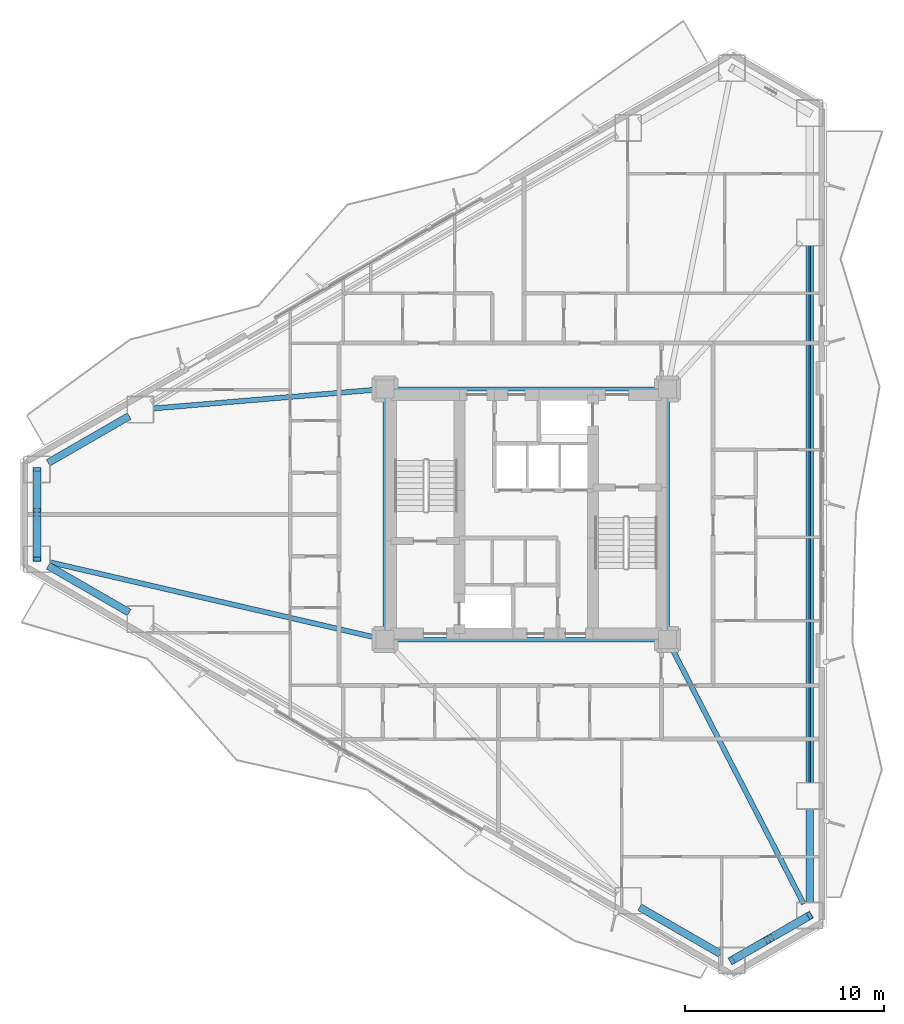
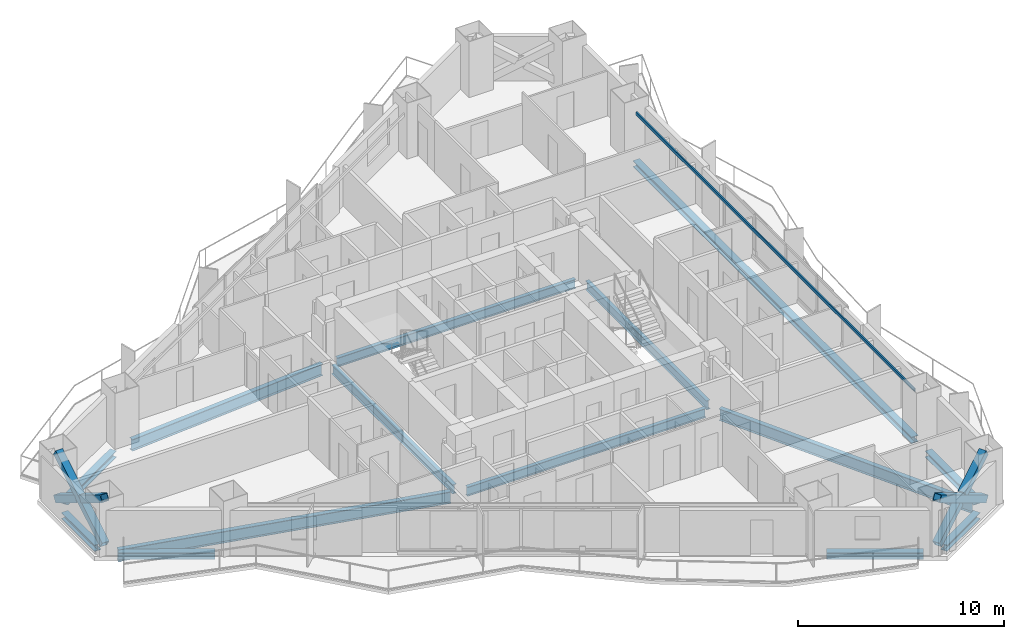
# One storey, part 5 of 18: 15 beams, 6 members.
"""IFC4 building model written with IfcOpenShell, lengths in metres."""

from ifc_helpers import new_model, si_unit, direction, frame, origin, origin_2d, place, context, subcontext, project, spatial, hollow_rectangle, i_section, extrude, material, material_profile, profile_set, type_object, element, save


model = new_model("IFC4")

# Units and contexts
model_context = context("Model", 3, precision=1e-05, world=origin(), true_north=direction((0.0, 1.0)))
body_context = subcontext(model_context, "Body", "Model", "MODEL_VIEW")
ifc_project = project(units=[si_unit("LENGTHUNIT", "METRE"), si_unit("AREAUNIT", "SQUARE_METRE"), si_unit("VOLUMEUNIT", "CUBIC_METRE"), si_unit("PLANEANGLEUNIT", "RADIAN"), si_unit("MASSUNIT", "GRAM", prefix="KILO")], contexts=[model_context])

# Site, building, storey
site_placement = place(None, origin())
site = spatial("IfcSite", under=ifc_project, at=site_placement, CompositionType="ELEMENT")
building_placement = place(site_placement, origin())
building = spatial("IfcBuilding", under=site, at=building_placement, Name="Mersakhor Tower and Convention Hall", CompositionType="ELEMENT")
storey_placement = place(building_placement, frame((0.0, 0.0, 32.39990234375)))
storey = spatial("IfcBuildingStorey", under=building, at=storey_placement, Name="L08", CompositionType="ELEMENT", Elevation=32.39990234375)

# Beams
ifc_material_1 = material(Name="Steel S355", Category="steel")
ifc_material_profile_1 = material_profile(ifc_material_1, i_section(OverallWidth=0.2099609375, OverallDepth=0.53662109375, WebThickness=0.0107421875, FlangeThickness=0.017333984375, at=origin_2d()), Name="UB 533x210x101")
ifc_profile_set_1 = profile_set([ifc_material_profile_1], Name="Steel S355")
beam_type_1 = type_object("IfcBeamType", Name="BM-FB-533", PredefinedType="BEAM", material=ifc_profile_set_1)
beam_1_placement = place(storey_placement, frame((21.89990234375, 20.8798828125, -0.5283203125), z_axis=(0.0, 1.0, 0.0), x_axis=(-1.0, 0.0, 0.0)))
element("IfcBeam", 1, at=beam_1_placement, inside=storey, type_object=beam_type_1, Name="L08 Core Ring Tie Beam CRB-1", PredefinedType="BEAM", context=body_context, shape_type="SweptSolid", body=[
    extrude(i_section(OverallWidth=0.2099609375, OverallDepth=0.53662109375, WebThickness=0.0107421875, FlangeThickness=0.017333984375, at=origin_2d()), origin(), (0.0, 0.0, 1.0), 11.740234375),
])
beam_2_placement = place(storey_placement, frame((22.330078125, 33.050048828125, -0.5283203125), z_axis=(1.0, 0.0, 0.0), x_axis=(0.0, 1.0, 0.0)))
element("IfcBeam", 2, at=beam_2_placement, inside=storey, type_object=beam_type_1, Name="L08 Core Ring Tie Beam CRB-2", PredefinedType="BEAM", context=body_context, shape_type="SweptSolid", body=[
    extrude(i_section(OverallWidth=0.2099609375, OverallDepth=0.53662109375, WebThickness=0.0107421875, FlangeThickness=0.017333984375, at=origin_2d()), origin(), (0.0, 0.0, 1.0), 13.33984375),
])
beam_3_placement = place(storey_placement, frame((36.10009765625, 32.6201171875, -0.5283203125), z_axis=(0.0, -1.0, 0.0), x_axis=(1.0, 0.0, 0.0)))
element("IfcBeam", 3, at=beam_3_placement, inside=storey, type_object=beam_type_1, Name="L08 Core Ring Tie Beam CRB-3", PredefinedType="BEAM", context=body_context, shape_type="SweptSolid", body=[
    extrude(i_section(OverallWidth=0.2099609375, OverallDepth=0.53662109375, WebThickness=0.0107421875, FlangeThickness=0.017333984375, at=origin_2d()), origin(), (0.0, 0.0, 1.0), 11.740234375),
])
beam_4_placement = place(storey_placement, frame((35.669921875, 20.449951171875, -0.5283203125), z_axis=(-1.0, 0.0, 0.0), x_axis=(0.0, -1.0, 0.0)))
element("IfcBeam", 4, at=beam_4_placement, inside=storey, type_object=beam_type_1, Name="L08 Core Ring Tie Beam CRB-4", PredefinedType="BEAM", context=body_context, shape_type="SweptSolid", body=[
    extrude(i_section(OverallWidth=0.2099609375, OverallDepth=0.53662109375, WebThickness=0.0107421875, FlangeThickness=0.017333984375, at=origin_2d()), origin(), (0.0, 0.0, 1.0), 13.33984375),
])
ifc_material_2 = material(Name="Steel S355", Category="steel")
ifc_material_profile_2 = material_profile(ifc_material_2, hollow_rectangle(XDim=0.080078125, YDim=0.179931640625, WallThickness=0.008056640625, at=origin_2d()), Name="RHS 180x80x8")
ifc_profile_set_2 = profile_set([ifc_material_profile_2], Name="Steel S355")
beam_type_2 = type_object("IfcBeamType", Name="BM-GRT-RHS180", PredefinedType="USERDEFINED", material=ifc_profile_set_2)
beam_5_placement = place(storey_placement, frame((43.25, 40.24951171875, 2.47998046875), z_axis=(0.0, -1.0, 0.0), x_axis=(1.0, 0.0, 0.0)))
element("IfcBeam", 5, at=beam_5_placement, inside=storey, type_object=beam_type_2, Name="L08 Facade Support Girt GRT-F2", ObjectType="GIRT", PredefinedType="USERDEFINED", context=body_context, shape_type="SweptSolid", body=[
    extrude(hollow_rectangle(XDim=0.080078125, YDim=0.179931640625, WallThickness=0.008056640625, at=origin_2d()), origin(), (0.0, 0.0, 1.0), 26.9990234375),
])
ifc_material_3 = material(Name="Steel S355", Category="steel")
ifc_material_profile_3 = material_profile(ifc_material_3, i_section(OverallWidth=0.25439453125, OverallDepth=0.6875, WebThickness=0.01318359375, FlangeThickness=0.02099609375, at=origin_2d()), Name="UB 686x254x152")
ifc_profile_set_3 = profile_set([ifc_material_profile_3], Name="Steel S355")
beam_type_3 = type_object("IfcBeamType", Name="BM-PR-686", PredefinedType="BEAM", material=ifc_profile_set_3)
beam_6_placement = place(storey_placement, frame((21.471435546875, 33.013916015625, -0.603515625), z_axis=(-0.996458345442, -0.084087845732, 0.0), x_axis=(0.084087845732, -0.996458345442, 0.0)))
element("IfcBeam", 6, at=beam_6_placement, inside=storey, type_object=beam_type_3, Name="L08 Primary Floor Girder FG-1", PredefinedType="BEAM", context=body_context, shape_type="SweptSolid", body=[
    extrude(i_section(OverallWidth=0.25439453125, OverallDepth=0.6875, WebThickness=0.01318359375, FlangeThickness=0.02099609375, at=origin_2d()), origin(), (0.0, 0.0, 1.0), 11.241943359375),
])
beam_7_placement = place(storey_placement, frame((36.297119140625, 20.06787109375, -0.603515625), z_axis=(0.458368239331, -0.888762373851, 0.0), x_axis=(0.888762373851, 0.458368239331, 0.0)))
element("IfcBeam", 7, at=beam_7_placement, inside=storey, type_object=beam_type_3, Name="L08 Primary Floor Girder FG-4", PredefinedType="BEAM", context=body_context, shape_type="SweptSolid", body=[
    extrude(i_section(OverallWidth=0.25439453125, OverallDepth=0.6875, WebThickness=0.01318359375, FlangeThickness=0.02099609375, at=origin_2d()), origin(), (0.0, 0.0, 1.0), 14.513671875),
])
beam_8_placement = place(storey_placement, frame((21.48095703125, 20.546875, -0.603515625), z_axis=(-0.974327224334, 0.225136536175, 0.0), x_axis=(-0.225136536175, -0.974327224334, 0.0)))
element("IfcBeam", 8, at=beam_8_placement, inside=storey, type_object=beam_type_3, Name="L08 Primary Floor Girder FG-6", PredefinedType="BEAM", context=body_context, shape_type="SweptSolid", body=[
    extrude(i_section(OverallWidth=0.25439453125, OverallDepth=0.6875, WebThickness=0.01318359375, FlangeThickness=0.02099609375, at=origin_2d()), origin(), (0.0, 0.0, 1.0), 16.862548828125),
])
ifc_material_4 = material(Name="Steel S355", Category="steel")
ifc_material_profile_4 = material_profile(ifc_material_4, i_section(OverallWidth=0.374755859375, OverallDepth=0.37451171875, WebThickness=0.0166015625, FlangeThickness=0.027099609375, at=origin_2d()), Name="UC 356x368x202")
ifc_profile_set_4 = profile_set([ifc_material_profile_4], Name="Steel S355")
beam_type_4 = type_object("IfcBeamType", Name="BM-SPD-UC356", PredefinedType="SPANDREL", material=ifc_profile_set_4)
beam_9_placement = place(storey_placement, frame((4.980224609375, 29.3369140625, -0.447265625), z_axis=(0.86605407247, 0.499950341091, 0.0), x_axis=(-0.499950341091, 0.86605407247, 0.0)))
element("IfcBeam", 9, at=beam_9_placement, inside=storey, type_object=beam_type_4, Name="L08 Perimeter Spandrel Beam SPB-01", PredefinedType="SPANDREL", context=body_context, shape_type="SweptSolid", body=[
    extrude(i_section(OverallWidth=0.374755859375, OverallDepth=0.37451171875, WebThickness=0.0166015625, FlangeThickness=0.027099609375, at=origin_2d()), origin(), (0.0, 0.0, 1.0), 4.69873046875),
])
beam_10_placement = place(storey_placement, frame((43.25, 40.24951171875, -0.447265625), z_axis=(0.0, -1.0, 0.0), x_axis=(1.0, 0.0, 0.0)))
element("IfcBeam", 10, at=beam_10_placement, inside=storey, type_object=beam_type_4, Name="L08 Perimeter Spandrel Beam SPB-06", PredefinedType="SPANDREL", context=body_context, shape_type="SweptSolid", body=[
    extrude(i_section(OverallWidth=0.374755859375, OverallDepth=0.37451171875, WebThickness=0.0166015625, FlangeThickness=0.027099609375, at=origin_2d()), origin(), (0.0, 0.0, 1.0), 26.9990234375),
])
beam_11_placement = place(storey_placement, frame((43.25, 11.9404296875, -0.447265625), z_axis=(0.0, -1.0, 0.0), x_axis=(1.0, 0.0, 0.0)))
element("IfcBeam", 11, at=beam_11_placement, inside=storey, type_object=beam_type_4, Name="L08 Perimeter Spandrel Beam SPB-07", PredefinedType="SPANDREL", context=body_context, shape_type="SweptSolid", body=[
    extrude(i_section(OverallWidth=0.374755859375, OverallDepth=0.37451171875, WebThickness=0.0166015625, FlangeThickness=0.027099609375, at=origin_2d()), origin(), (0.0, 0.0, 1.0), 4.69873046875),
])
beam_12_placement = place(storey_placement, frame((42.682861328125, 6.25927734375, -0.447265625), z_axis=(-0.866038607556, -0.4999771297, 0.0), x_axis=(0.4999771297, -0.866038607556, 0.0)))
element("IfcBeam", 12, at=beam_12_placement, inside=storey, type_object=beam_type_4, Name="L08 Perimeter Spandrel Beam SPB-08", PredefinedType="SPANDREL", context=body_context, shape_type="SweptSolid", body=[
    extrude(i_section(OverallWidth=0.374755859375, OverallDepth=0.37451171875, WebThickness=0.0166015625, FlangeThickness=0.027099609375, at=origin_2d()), origin(), (0.0, 0.0, 1.0), 3.208740234375),
])
for number, where, z_axis, x_axis, name in (
    (13, (38.769775390625, 4.655029296875, -0.447265625), (-0.866031574723, 0.499989311469, 0.0), (-0.499989311469, -0.866031574723, 0.0), "L08 Perimeter Spandrel Beam SPB-09"),
    (14, (9.049560546875, 21.81396484375, -0.447265625), (-0.86605407247, 0.499950341091, 0.0), (-0.499950341091, -0.86605407247, 0.0), "L08 Perimeter Spandrel Beam SPB-11"),
):
    element("IfcBeam", number, at=place(storey_placement, frame(where, z_axis=z_axis, x_axis=x_axis)), inside=storey, type_object=beam_type_4, Name=name, PredefinedType="SPANDREL", context=body_context, shape_type="SweptSolid", body=[
        extrude(i_section(OverallWidth=0.374755859375, OverallDepth=0.37451171875, WebThickness=0.0166015625, FlangeThickness=0.027099609375, at=origin_2d()), origin(), (0.0, 0.0, 1.0), 4.69873046875),
    ])
beam_13_placement = place(storey_placement, frame((4.4130859375, 25.145751953125, -0.447265625), z_axis=(0.0, 1.0, 0.0), x_axis=(-1.0, 0.0, 0.0)))
element("IfcBeam", 15, at=beam_13_placement, inside=storey, type_object=beam_type_4, Name="L08 Perimeter Spandrel Beam SPB-12", PredefinedType="SPANDREL", context=body_context, shape_type="SweptSolid", body=[
    extrude(i_section(OverallWidth=0.374755859375, OverallDepth=0.37451171875, WebThickness=0.0166015625, FlangeThickness=0.027099609375, at=origin_2d()), origin(), (0.0, 0.0, 1.0), 3.20849609375),
])

# Members
ifc_material_5 = material(Name="Steel S460", Category="steel")
ifc_material_profile_5 = material_profile(ifc_material_5, hollow_rectangle(XDim=0.39990234375, YDim=0.39990234375, WallThickness=0.02490234375, at=origin_2d()), Name="SHS 400x400x25")
ifc_profile_set_5 = profile_set([ifc_material_profile_5], Name="Steel S460")
member_type = type_object("IfcMemberType", Name="MB-BRC-SHS400", PredefinedType="BRACE", material=ifc_profile_set_5)
member_1_placement = place(storey_placement, frame((43.25, 6.586669921875, 0.150146484375), z_axis=(-0.740507772322, -0.427542982597, 0.518512523632), x_axis=(0.500009315796, -0.86602002524, 0.0)))
element("IfcMember", 16, at=member_1_placement, inside=storey, type_object=member_type, Name="L08 Chamfer Braced Frame Diagonal CB-2A", PredefinedType="BRACE", context=body_context, shape_type="SweptSolid", body=[
    extrude(hollow_rectangle(XDim=0.39990234375, YDim=0.39990234375, WallThickness=0.02490234375, at=origin_2d()), origin(), (0.0, 0.0, 1.0), 5.284423828125),
])
for number, where, z_axis, x_axis, name in (
    (17, (39.3369140625, 4.327392578125, 0.150146484375), (0.740512106644, 0.427623949895, 0.518439560017), (-0.500078132948, 0.865980289006, 0.0), "L08 Chamfer Braced Frame Diagonal CB-2B Lower Half"),
    (18, (41.46630859375, 5.556884765625, 1.64111328125), (0.740505282886, 0.427518653602, 0.518536138413), (-0.499989236795, 0.866031617834, 0.0), "L08 Chamfer Braced Frame Diagonal CB-2B Upper Half"),
):
    element("IfcMember", number, at=place(storey_placement, frame(where, z_axis=z_axis, x_axis=x_axis)), inside=storey, type_object=member_type, Name=name, PredefinedType="BRACE", context=body_context, shape_type="SweptSolid", body=[
        extrude(hollow_rectangle(XDim=0.39990234375, YDim=0.39990234375, WallThickness=0.02490234375, at=origin_2d()), origin(), (0.0, 0.0, 1.0), 2.40869140625),
    ])
member_2_placement = place(storey_placement, frame((4.4130859375, 24.49072265625, 0.150146484375), z_axis=(0.0, 0.855074317009, 0.51850546033), x_axis=(-1.0, 0.0, 0.0)))
element("IfcMember", 19, at=member_2_placement, inside=storey, type_object=member_type, Name="L08 Chamfer Braced Frame Diagonal CB-3A", PredefinedType="BRACE", context=body_context, shape_type="SweptSolid", body=[
    extrude(hollow_rectangle(XDim=0.39990234375, YDim=0.39990234375, WallThickness=0.02490234375, at=origin_2d()), origin(), (0.0, 0.0, 1.0), 5.284423828125),
])
for number, where, z_axis, x_axis, name in (
    (20, (4.4130859375, 29.00927734375, 0.150146484375), (0.0, -0.855095703444, 0.518470190032), (1.0, 0.0, 0.0), "L08 Chamfer Braced Frame Diagonal CB-3B Lower Half"),
    (21, (4.4130859375, 26.55029296875, 1.64111328125), (0.0, -0.855050764291, 0.518544299444), (1.0, 0.0, 0.0), "L08 Chamfer Braced Frame Diagonal CB-3B Upper Half"),
):
    element("IfcMember", number, at=place(storey_placement, frame(where, z_axis=z_axis, x_axis=x_axis)), inside=storey, type_object=member_type, Name=name, PredefinedType="BRACE", context=body_context, shape_type="SweptSolid", body=[
        extrude(hollow_rectangle(XDim=0.39990234375, YDim=0.39990234375, WallThickness=0.02490234375, at=origin_2d()), origin(), (0.0, 0.0, 1.0), 2.40869140625),
    ])

save(model, "model.ifc")
